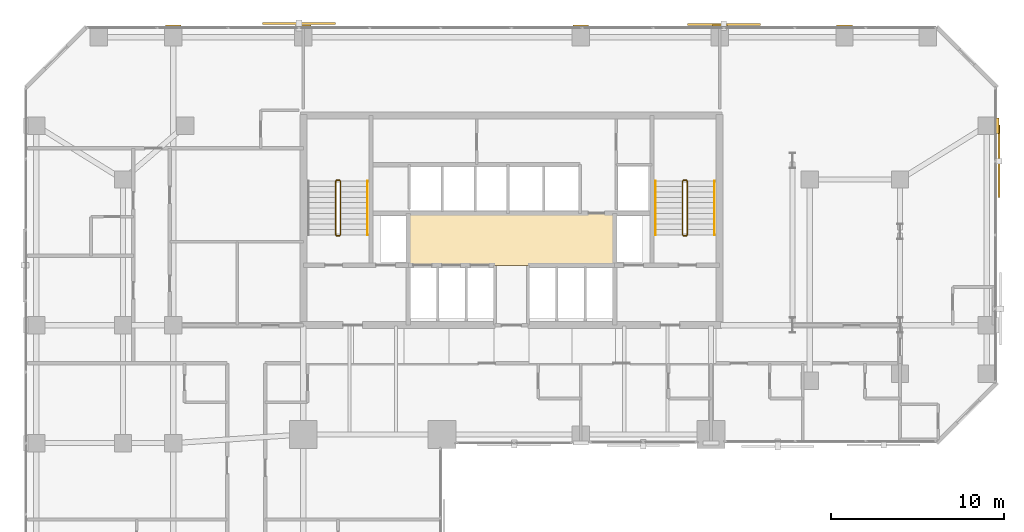
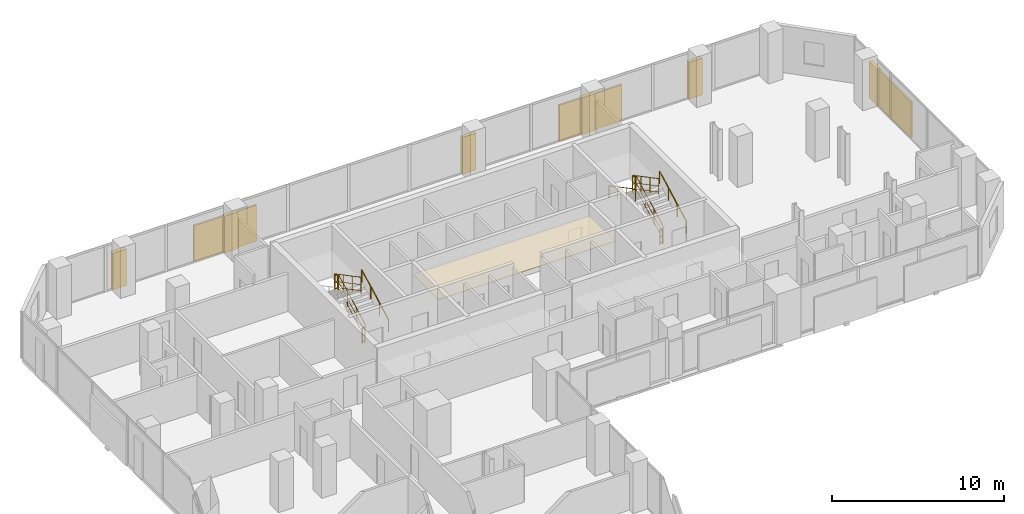
# One storey, part 31 of 31: 11 railings, 7 coverings, 3 shading devices.
"""IFC4 building model written with IfcOpenShell, lengths in metres."""

from ifc_helpers import new_model, si_unit, direction, frame, origin, origin_2d, place, context, subcontext, project, spatial, polyline, rectangle, circle, outline, extrude, material, layer, layer_set, type_object, element, save


model = new_model("IFC4")

# Units and contexts
model_context = context("Model", 3, precision=1e-05, world=origin(), true_north=direction((0.0, 1.0)))
body_context = subcontext(model_context, "Body", "Model", "MODEL_VIEW")
ifc_project = project(units=[si_unit("LENGTHUNIT", "METRE"), si_unit("AREAUNIT", "SQUARE_METRE"), si_unit("VOLUMEUNIT", "CUBIC_METRE"), si_unit("PLANEANGLEUNIT", "RADIAN"), si_unit("MASSUNIT", "GRAM", prefix="KILO")], contexts=[model_context])

# Site, building, storey
site_placement = place(None, origin())
site = spatial("IfcSite", under=ifc_project, at=site_placement, CompositionType="ELEMENT")
building_placement = place(site_placement, origin())
building = spatial("IfcBuilding", under=site, at=building_placement, Name="Catumbela Crestline Tower", CompositionType="ELEMENT")
storey_placement = place(building_placement, frame((0.0, 0.0, 25.8)))
storey = spatial("IfcBuildingStorey", under=building, at=storey_placement, Name="L05", CompositionType="ELEMENT", Elevation=25.8)

# Coverings
ifc_material_1 = material(Name="Mineral-fibre acoustic ceiling")
ifc_layer_1 = layer(ifc_material_1, 0.03, Name="Mineral-fibre acoustic ceiling")
ifc_layer_set_1 = layer_set([ifc_layer_1], Name="Mineral-fibre acoustic ceiling")
covering_type_1 = type_object("IfcCoveringType", Name="CC-AC", PredefinedType="CEILING", material=ifc_layer_set_1)
covering_placement = place(storey_placement, frame((0.0, 0.0, 2.65)))
element("IfcCovering", 1, at=covering_placement, inside=storey, type_object=covering_type_1, Name="L05 Lift Lobby Acoustic Ceiling", PredefinedType="CEILING", context=body_context, shape_type="SweptSolid", body=[
    extrude(outline(polyline([(22.05, 34.25), (33.95, 34.25), (33.95, 37.25), (22.05, 37.25), (22.05, 34.25)])), origin(), (0.0, 0.0, 1.0), 0.03),
])
ifc_material_2 = material(Name="Extruded terracotta ceramic", Category="masonry")
ifc_layer_2 = layer(ifc_material_2, 0.08, Name="Extruded terracotta ceramic")
ifc_layer_set_2 = layer_set([ifc_layer_2], Name="Extruded terracotta ceramic")
covering_type_2 = type_object("IfcCoveringType", Name="CC-TER", PredefinedType="CLADDING", material=ifc_layer_set_2)
for number, where, z_axis, x_axis, name in (
    (2, (56.0, 42.3, 0.0), (0.0, 0.0, 1.0), (0.0, 1.0, 0.0), "L05 Fluted Terracotta Column Cladding 30"),
    (3, (8.5, 48.0, 0.0), (0.0, 0.0, 1.0), (-1.0, 0.0, 0.0), "L05 Fluted Terracotta Column Cladding 31"),
    (4, (16.0, 48.0, 0.0), (0.0, 0.0, 1.0), (-1.0, 0.0, 0.0), "L05 Fluted Terracotta Column Cladding 32"),
    (5, (32.0, 48.0, 0.0), (0.0, 0.0, 1.0), (-1.0, 0.0, 0.0), "L05 Fluted Terracotta Column Cladding 33"),
    (6, (40.0, 48.0, 0.0), (0.0, 0.0, 1.0), (-1.0, 0.0, 0.0), "L05 Fluted Terracotta Column Cladding 34"),
    (7, (47.2, 48.0, 0.0), (0.0, 0.0, 1.0), (-1.0, 0.0, 0.0), "L05 Fluted Terracotta Column Cladding 35"),
):
    element("IfcCovering", number, at=place(storey_placement, frame(where, z_axis=z_axis, x_axis=x_axis)), inside=storey, type_object=covering_type_2, Name=name, PredefinedType="CLADDING", context=body_context, shape_type="SweptSolid", body=[
        extrude(rectangle(XDim=0.9, YDim=0.24, at=origin_2d()), origin(), (0.0, 0.0, 1.0), 2.6),
    ])

# Railings
ifc_material_3 = material(Name="Stainless steel EN 1.4401", Category="steel")
railing_type_1 = type_object("IfcRailingType", Name="RG-1100", PredefinedType="GUARDRAIL", material=ifc_material_3)
railing_1_placement = place(storey_placement, frame((18.14, 36.0, 0.1636)))
element("IfcRailing", 8, at=railing_1_placement, inside=storey, type_object=railing_type_1, Name="L05 ST-01 stair guard 1", PredefinedType="GUARDRAIL", context=body_context, shape_type="SweptSolid", body=[
    extrude(circle(Radius=0.024, at=origin_2d()), frame((0.0, 0.0, 1.076), z_axis=(0.0, 0.884350731049, 0.466823076222), x_axis=(-1.0, 0.0, 0.0)), (0.0, 0.0, 1.0), 3.5054),
    extrude(circle(Radius=0.0156, at=origin_2d()), frame((0.0, 0.0, 0.55), z_axis=(0.0, 0.884350731049, 0.466823076222), x_axis=(-1.0, 0.0, 0.0)), (0.0, 0.0, 1.0), 3.5054),
    extrude(circle(Radius=0.0156, at=origin_2d()), frame((0.0, 0.0, 0.12), z_axis=(0.0, 0.884350731049, 0.466823076222), x_axis=(-1.0, 0.0, 0.0)), (0.0, 0.0, 1.0), 3.5054),
    extrude(circle(Radius=0.021, at=origin_2d()), origin(), (0.0, 0.0, 1.0), 1.052),
    extrude(circle(Radius=0.021, at=origin_2d()), frame((0.0, 1.0333, 0.5455)), (0.0, 0.0, 1.0), 1.052),
    extrude(circle(Radius=0.021, at=origin_2d()), frame((0.0, 2.0667, 1.0909)), (0.0, 0.0, 1.0), 1.052),
    extrude(circle(Radius=0.021, at=origin_2d()), frame((0.0, 3.1, 1.6364)), (0.0, 0.0, 1.0), 1.052),
])
railing_2_placement = place(storey_placement, frame((18.09, 39.15, 1.8)))
element("IfcRailing", 9, at=railing_2_placement, inside=storey, type_object=railing_type_1, Name="L05 ST-01 stair guard 2", PredefinedType="GUARDRAIL", context=body_context, shape_type="SweptSolid", body=[
    extrude(circle(Radius=0.024, at=origin_2d()), frame((0.0, 0.0, 1.076), z_axis=(-1.0, 0.0, 0.0), x_axis=(0.0, -1.0, 0.0)), (0.0, 0.0, 1.0), 0.18),
    extrude(circle(Radius=0.0156, at=origin_2d()), frame((0.0, 0.0, 0.55), z_axis=(-1.0, 0.0, 0.0), x_axis=(0.0, -1.0, 0.0)), (0.0, 0.0, 1.0), 0.18),
    extrude(circle(Radius=0.0156, at=origin_2d()), frame((0.0, 0.0, 0.12), z_axis=(-1.0, 0.0, 0.0), x_axis=(0.0, -1.0, 0.0)), (0.0, 0.0, 1.0), 0.18),
    extrude(circle(Radius=0.021, at=origin_2d()), origin(), (0.0, 0.0, 1.0), 1.052),
    extrude(circle(Radius=0.021, at=origin_2d()), frame((-0.18, 0.0, 0.0)), (0.0, 0.0, 1.0), 1.052),
])
railing_3_placement = place(storey_placement, frame((17.86, 39.1, 1.9636)))
element("IfcRailing", 10, at=railing_3_placement, inside=storey, type_object=railing_type_1, Name="L05 ST-01 stair guard 3", PredefinedType="GUARDRAIL", context=body_context, shape_type="SweptSolid", body=[
    extrude(circle(Radius=0.024, at=origin_2d()), frame((0.0, 0.0, 1.076), z_axis=(0.0, -0.884350731049, 0.466823076222), x_axis=(1.0, 0.0, 0.0)), (0.0, 0.0, 1.0), 3.5054),
    extrude(circle(Radius=0.0156, at=origin_2d()), frame((0.0, 0.0, 0.55), z_axis=(0.0, -0.884350731049, 0.466823076222), x_axis=(1.0, 0.0, 0.0)), (0.0, 0.0, 1.0), 3.5054),
    extrude(circle(Radius=0.0156, at=origin_2d()), frame((0.0, 0.0, 0.12), z_axis=(0.0, -0.884350731049, 0.466823076222), x_axis=(1.0, 0.0, 0.0)), (0.0, 0.0, 1.0), 3.5054),
    extrude(circle(Radius=0.021, at=origin_2d()), origin(), (0.0, 0.0, 1.0), 1.052),
    extrude(circle(Radius=0.021, at=origin_2d()), frame((0.0, -1.0333, 0.5455)), (0.0, 0.0, 1.0), 1.052),
    extrude(circle(Radius=0.021, at=origin_2d()), frame((0.0, -2.0667, 1.0909)), (0.0, 0.0, 1.0), 1.052),
    extrude(circle(Radius=0.021, at=origin_2d()), frame((0.0, -3.1, 1.6364)), (0.0, 0.0, 1.0), 1.052),
])
railing_4_placement = place(storey_placement, frame((18.09, 35.95, 0.0)))
element("IfcRailing", 11, at=railing_4_placement, inside=storey, type_object=railing_type_1, Name="L05 ST-01 stair guard 4", PredefinedType="GUARDRAIL", context=body_context, shape_type="SweptSolid", body=[
    extrude(circle(Radius=0.024, at=origin_2d()), frame((0.0, 0.0, 1.076), z_axis=(-1.0, 0.0, 0.0), x_axis=(0.0, -1.0, 0.0)), (0.0, 0.0, 1.0), 0.18),
    extrude(circle(Radius=0.0156, at=origin_2d()), frame((0.0, 0.0, 0.55), z_axis=(-1.0, 0.0, 0.0), x_axis=(0.0, -1.0, 0.0)), (0.0, 0.0, 1.0), 0.18),
    extrude(circle(Radius=0.0156, at=origin_2d()), frame((0.0, 0.0, 0.12), z_axis=(-1.0, 0.0, 0.0), x_axis=(0.0, -1.0, 0.0)), (0.0, 0.0, 1.0), 0.18),
    extrude(circle(Radius=0.021, at=origin_2d()), origin(), (0.0, 0.0, 1.0), 1.052),
    extrude(circle(Radius=0.021, at=origin_2d()), frame((-0.18, 0.0, 0.0)), (0.0, 0.0, 1.0), 1.052),
])
railing_5_placement = place(storey_placement, frame((38.14, 36.0, 0.1636)))
element("IfcRailing", 12, at=railing_5_placement, inside=storey, type_object=railing_type_1, Name="L05 ST-02 stair guard 1", PredefinedType="GUARDRAIL", context=body_context, shape_type="SweptSolid", body=[
    extrude(circle(Radius=0.024, at=origin_2d()), frame((0.0, 0.0, 1.076), z_axis=(0.0, 0.884350731049, 0.466823076222), x_axis=(-1.0, 0.0, 0.0)), (0.0, 0.0, 1.0), 3.5054),
    extrude(circle(Radius=0.0156, at=origin_2d()), frame((0.0, 0.0, 0.55), z_axis=(0.0, 0.884350731049, 0.466823076222), x_axis=(-1.0, 0.0, 0.0)), (0.0, 0.0, 1.0), 3.5054),
    extrude(circle(Radius=0.0156, at=origin_2d()), frame((0.0, 0.0, 0.12), z_axis=(0.0, 0.884350731049, 0.466823076222), x_axis=(-1.0, 0.0, 0.0)), (0.0, 0.0, 1.0), 3.5054),
    extrude(circle(Radius=0.021, at=origin_2d()), origin(), (0.0, 0.0, 1.0), 1.052),
    extrude(circle(Radius=0.021, at=origin_2d()), frame((0.0, 1.0333, 0.5455)), (0.0, 0.0, 1.0), 1.052),
    extrude(circle(Radius=0.021, at=origin_2d()), frame((0.0, 2.0667, 1.0909)), (0.0, 0.0, 1.0), 1.052),
    extrude(circle(Radius=0.021, at=origin_2d()), frame((0.0, 3.1, 1.6364)), (0.0, 0.0, 1.0), 1.052),
])
railing_6_placement = place(storey_placement, frame((38.09, 39.15, 1.8)))
element("IfcRailing", 13, at=railing_6_placement, inside=storey, type_object=railing_type_1, Name="L05 ST-02 stair guard 2", PredefinedType="GUARDRAIL", context=body_context, shape_type="SweptSolid", body=[
    extrude(circle(Radius=0.024, at=origin_2d()), frame((0.0, 0.0, 1.076), z_axis=(-1.0, 0.0, 0.0), x_axis=(0.0, -1.0, 0.0)), (0.0, 0.0, 1.0), 0.18),
    extrude(circle(Radius=0.0156, at=origin_2d()), frame((0.0, 0.0, 0.55), z_axis=(-1.0, 0.0, 0.0), x_axis=(0.0, -1.0, 0.0)), (0.0, 0.0, 1.0), 0.18),
    extrude(circle(Radius=0.0156, at=origin_2d()), frame((0.0, 0.0, 0.12), z_axis=(-1.0, 0.0, 0.0), x_axis=(0.0, -1.0, 0.0)), (0.0, 0.0, 1.0), 0.18),
    extrude(circle(Radius=0.021, at=origin_2d()), origin(), (0.0, 0.0, 1.0), 1.052),
    extrude(circle(Radius=0.021, at=origin_2d()), frame((-0.18, 0.0, 0.0)), (0.0, 0.0, 1.0), 1.052),
])
railing_7_placement = place(storey_placement, frame((37.86, 39.1, 1.9636)))
element("IfcRailing", 14, at=railing_7_placement, inside=storey, type_object=railing_type_1, Name="L05 ST-02 stair guard 3", PredefinedType="GUARDRAIL", context=body_context, shape_type="SweptSolid", body=[
    extrude(circle(Radius=0.024, at=origin_2d()), frame((0.0, 0.0, 1.076), z_axis=(0.0, -0.884350731049, 0.466823076222), x_axis=(1.0, 0.0, 0.0)), (0.0, 0.0, 1.0), 3.5054),
    extrude(circle(Radius=0.0156, at=origin_2d()), frame((0.0, 0.0, 0.55), z_axis=(0.0, -0.884350731049, 0.466823076222), x_axis=(1.0, 0.0, 0.0)), (0.0, 0.0, 1.0), 3.5054),
    extrude(circle(Radius=0.0156, at=origin_2d()), frame((0.0, 0.0, 0.12), z_axis=(0.0, -0.884350731049, 0.466823076222), x_axis=(1.0, 0.0, 0.0)), (0.0, 0.0, 1.0), 3.5054),
    extrude(circle(Radius=0.021, at=origin_2d()), origin(), (0.0, 0.0, 1.0), 1.052),
    extrude(circle(Radius=0.021, at=origin_2d()), frame((0.0, -1.0333, 0.5455)), (0.0, 0.0, 1.0), 1.052),
    extrude(circle(Radius=0.021, at=origin_2d()), frame((0.0, -2.0667, 1.0909)), (0.0, 0.0, 1.0), 1.052),
    extrude(circle(Radius=0.021, at=origin_2d()), frame((0.0, -3.1, 1.6364)), (0.0, 0.0, 1.0), 1.052),
])
railing_8_placement = place(storey_placement, frame((38.09, 35.95, 0.0)))
element("IfcRailing", 15, at=railing_8_placement, inside=storey, type_object=railing_type_1, Name="L05 ST-02 stair guard 4", PredefinedType="GUARDRAIL", context=body_context, shape_type="SweptSolid", body=[
    extrude(circle(Radius=0.024, at=origin_2d()), frame((0.0, 0.0, 1.076), z_axis=(-1.0, 0.0, 0.0), x_axis=(0.0, -1.0, 0.0)), (0.0, 0.0, 1.0), 0.18),
    extrude(circle(Radius=0.0156, at=origin_2d()), frame((0.0, 0.0, 0.55), z_axis=(-1.0, 0.0, 0.0), x_axis=(0.0, -1.0, 0.0)), (0.0, 0.0, 1.0), 0.18),
    extrude(circle(Radius=0.0156, at=origin_2d()), frame((0.0, 0.0, 0.12), z_axis=(-1.0, 0.0, 0.0), x_axis=(0.0, -1.0, 0.0)), (0.0, 0.0, 1.0), 0.18),
    extrude(circle(Radius=0.021, at=origin_2d()), origin(), (0.0, 0.0, 1.0), 1.052),
    extrude(circle(Radius=0.021, at=origin_2d()), frame((-0.18, 0.0, 0.0)), (0.0, 0.0, 1.0), 1.052),
])
railing_type_2 = type_object("IfcRailingType", Name="RH-0900", PredefinedType="HANDRAIL", material=ifc_material_3)
for number, where, name in (
    (16, (19.7, 36.0, 0.1636), "L05 ST-01 stair handrail 1"),
    (17, (39.7, 36.0, 0.1636), "L05 ST-02 stair handrail 1"),
):
    element("IfcRailing", number, at=place(storey_placement, frame(where)), inside=storey, type_object=railing_type_2, Name=name, PredefinedType="HANDRAIL", context=body_context, shape_type="SweptSolid", body=[
        extrude(circle(Radius=0.024, at=origin_2d()), frame((0.0, 0.0, 0.876), z_axis=(0.0, 0.884350731049, 0.466823076222), x_axis=(-1.0, 0.0, 0.0)), (0.0, 0.0, 1.0), 3.5054),
        extrude(circle(Radius=0.021, at=origin_2d()), origin(), (0.0, 0.0, 1.0), 0.852),
        extrude(circle(Radius=0.021, at=origin_2d()), frame((0.0, 1.0333, 0.5455)), (0.0, 0.0, 1.0), 0.852),
        extrude(circle(Radius=0.021, at=origin_2d()), frame((0.0, 2.0667, 1.0909)), (0.0, 0.0, 1.0), 0.852),
        extrude(circle(Radius=0.021, at=origin_2d()), frame((0.0, 3.1, 1.6364)), (0.0, 0.0, 1.0), 0.852),
    ])
railing_9_placement = place(storey_placement, frame((36.3, 39.1, 1.9636)))
element("IfcRailing", 18, at=railing_9_placement, inside=storey, type_object=railing_type_2, Name="L05 ST-02 stair handrail 2", PredefinedType="HANDRAIL", context=body_context, shape_type="SweptSolid", body=[
    extrude(circle(Radius=0.024, at=origin_2d()), frame((0.0, 0.0, 0.876), z_axis=(0.0, -0.884350731049, 0.466823076222), x_axis=(1.0, 0.0, 0.0)), (0.0, 0.0, 1.0), 3.5054),
    extrude(circle(Radius=0.021, at=origin_2d()), origin(), (0.0, 0.0, 1.0), 0.852),
    extrude(circle(Radius=0.021, at=origin_2d()), frame((0.0, -1.0333, 0.5455)), (0.0, 0.0, 1.0), 0.852),
    extrude(circle(Radius=0.021, at=origin_2d()), frame((0.0, -2.0667, 1.0909)), (0.0, 0.0, 1.0), 0.852),
    extrude(circle(Radius=0.021, at=origin_2d()), frame((0.0, -3.1, 1.6364)), (0.0, 0.0, 1.0), 0.852),
])

# Shading devices
shading_device_type_1 = type_object("IfcShadingDeviceType", Name="ST-180", PredefinedType="USERDEFINED", material=ifc_material_2)
shading_device_1_placement = place(storey_placement, frame((56.099, 40.25, -0.1), z_axis=(0.0, 0.0, 1.0), x_axis=(0.0, 1.0, 0.0)))
element("IfcShadingDevice", 19, at=shading_device_1_placement, inside=storey, type_object=shading_device_type_1, Name="L05 Perforated Terracotta Solar Screen 10 (180 mm)", ObjectType="SCREEN", PredefinedType="USERDEFINED", context=body_context, shape_type="SweptSolid", body=[
    extrude(rectangle(XDim=4.2, YDim=0.12, at=origin_2d()), origin(), (0.0, 0.0, 1.0), 2.55),
])
shading_device_type_2 = type_object("IfcShadingDeviceType", Name="ST-260", PredefinedType="USERDEFINED", material=ifc_material_2)
shading_device_2_placement = place(storey_placement, frame((40.25, 48.143, -0.1), z_axis=(0.0, 0.0, 1.0), x_axis=(-1.0, 0.0, 0.0)))
element("IfcShadingDevice", 20, at=shading_device_2_placement, inside=storey, type_object=shading_device_type_2, Name="L05 Perforated Terracotta Solar Screen 11 (260 mm)", ObjectType="SCREEN", PredefinedType="USERDEFINED", context=body_context, shape_type="SweptSolid", body=[
    extrude(rectangle(XDim=4.2, YDim=0.12, at=origin_2d()), origin(), (0.0, 0.0, 1.0), 2.55),
])
shading_device_type_3 = type_object("IfcShadingDeviceType", Name="ST-340", PredefinedType="USERDEFINED", material=ifc_material_2)
shading_device_3_placement = place(storey_placement, frame((15.75, 48.187, -0.1), z_axis=(0.0, 0.0, 1.0), x_axis=(-1.0, 0.0, 0.0)))
element("IfcShadingDevice", 21, at=shading_device_3_placement, inside=storey, type_object=shading_device_type_3, Name="L05 Perforated Terracotta Solar Screen 12 (340 mm)", ObjectType="SCREEN", PredefinedType="USERDEFINED", context=body_context, shape_type="SweptSolid", body=[
    extrude(rectangle(XDim=4.2, YDim=0.12, at=origin_2d()), origin(), (0.0, 0.0, 1.0), 2.55),
])

save(model, "model.ifc")
